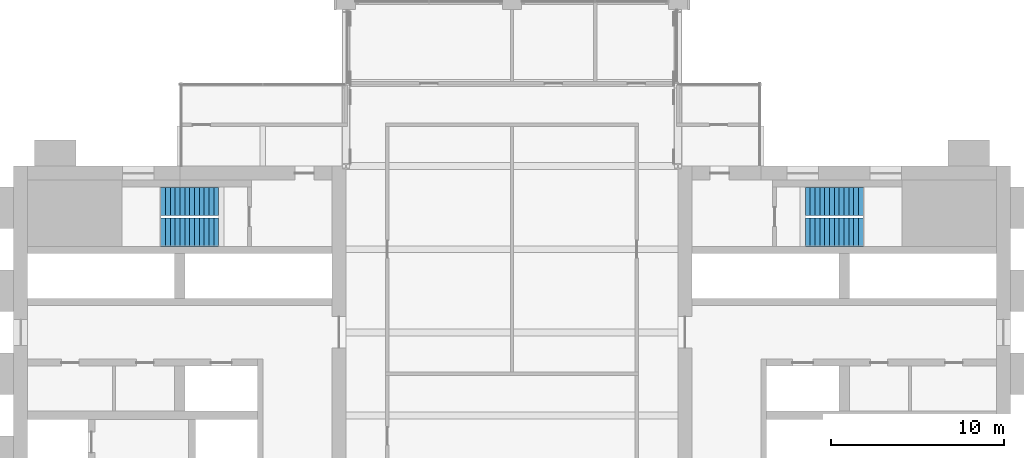
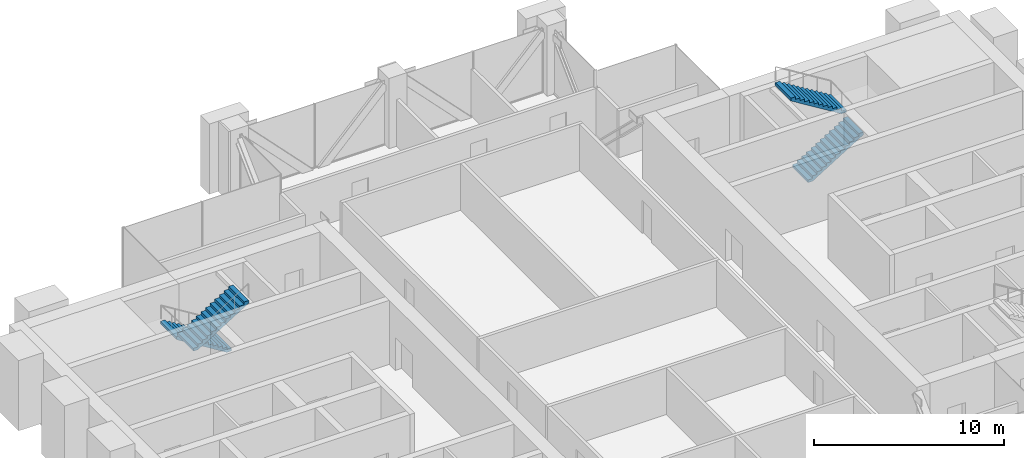
# One storey, part 12 of 13: 4 stair flights, 2 elements without a shape of their own.
"""IFC4 building model written with IfcOpenShell, lengths in metres."""

from ifc_helpers import new_model, si_unit, direction, frame, origin, place, context, subcontext, project, spatial, polyline, outline, extrude, material, type_object, element, aggregate, save


model = new_model("IFC4")

# Units and contexts
model_context = context("Model", 3, precision=1e-05, world=origin(), true_north=direction((0.0, 1.0)))
body_context = subcontext(model_context, "Body", "Model", "MODEL_VIEW")
ifc_project = project(units=[si_unit("LENGTHUNIT", "METRE"), si_unit("AREAUNIT", "SQUARE_METRE"), si_unit("VOLUMEUNIT", "CUBIC_METRE"), si_unit("PLANEANGLEUNIT", "RADIAN"), si_unit("MASSUNIT", "GRAM", prefix="KILO")], contexts=[model_context])

# Site, building, storey
site_placement = place(None, origin())
site = spatial("IfcSite", under=ifc_project, at=site_placement, CompositionType="ELEMENT")
building_placement = place(site_placement, origin())
building = spatial("IfcBuilding", under=site, at=building_placement, Name="Baori Bourse Tower", CompositionType="ELEMENT")
storey_placement = place(building_placement, frame((0.0, 0.0, 265.199951171875)))
storey = spatial("IfcBuildingStorey", under=building, at=storey_placement, Name="L59", CompositionType="ELEMENT", Elevation=265.199951171875)

# Stair, stair flights
ifc_material_1 = material(Name="Concrete f'c 50 MPa", Category="concrete")
stair_type = type_object("IfcStairType", Name="Core stair", PredefinedType="HALF_TURN_STAIR", material=ifc_material_1)
stair_1_placement = place(storey_placement, origin())
stair_1 = element("IfcStair", 1, at=stair_1_placement, inside=storey, type_object=stair_type, Name="L59 Stair WB", PredefinedType="HALF_TURN_STAIR")
ifc_material_2 = material(Name="Concrete f'c 50 MPa", Category="concrete")
stair_flight_type = type_object("IfcStairFlightType", Name="Core stair flight", PredefinedType="STRAIGHT", material=ifc_material_2)
stair_flight_1_placement = place(storey_placement, frame((11.85009765625, 36.375, 0.0), z_axis=(0.0, 0.0, 1.0), x_axis=(-1.0, 0.0, 0.0)))
stair_flight_1 = element("IfcStairFlight", 2, at=stair_flight_1_placement, type_object=stair_flight_type, Name="ST2 flight 1", NumberOfRisers=13, NumberOfTreads=12, PredefinedType="STRAIGHT", RiserHeight=0.173076923, TreadLength=0.28, context=body_context, shape_type="SweptSolid", body=[
    extrude(outline(polyline([(0.0, 0.0), (0.0, 0.173095703125), (0.280029296875, 0.173095703125), (0.280029296875, 0.34619140625), (0.56005859375, 0.34619140625), (0.56005859375, 0.519287109375), (0.840087890625, 0.519287109375), (0.840087890625, 0.6923828125), (1.1201171875, 0.6923828125), (1.1201171875, 0.865478515625), (1.39990234375, 0.865478515625), (1.39990234375, 1.03857421875), (1.679931640625, 1.03857421875), (1.679931640625, 1.21142578125), (1.9599609375, 1.21142578125), (1.9599609375, 1.384521484375), (2.239990234375, 1.384521484375), (2.239990234375, 1.5576171875), (2.52001953125, 1.5576171875), (2.52001953125, 1.730712890625), (2.800048828125, 1.730712890625), (2.800048828125, 1.90380859375), (3.080078125, 1.90380859375), (3.080078125, 2.076904296875), (3.360107421875, 2.076904296875), (3.360107421875, 2.25), (3.360107421875, 1.900634765625), (0.28515625, 0.0), (0.0, 0.0)])), frame((0.0, 0.824951171875, 0.0), z_axis=(0.0, -1.0, 0.0), x_axis=(1.0, 0.0, 0.0)), (0.0, 0.0, 1.0), 1.64990234375),
])
stair_flight_2_placement = place(storey_placement, frame((8.489990234375, 34.574951171875, 2.25), z_axis=(0.0, 0.0, 1.0), x_axis=(1.0, 0.0, 0.0)))
stair_flight_2 = element("IfcStairFlight", 3, at=stair_flight_2_placement, type_object=stair_flight_type, Name="ST2 flight 2", NumberOfRisers=13, NumberOfTreads=12, PredefinedType="STRAIGHT", RiserHeight=0.173076923, TreadLength=0.28, context=body_context, shape_type="SweptSolid", body=[
    extrude(outline(polyline([(0.0, 0.0), (0.0, 0.173095703125), (0.280029296875, 0.173095703125), (0.280029296875, 0.34619140625), (0.56005859375, 0.34619140625), (0.56005859375, 0.519287109375), (0.840087890625, 0.519287109375), (0.840087890625, 0.6923828125), (1.1201171875, 0.6923828125), (1.1201171875, 0.865478515625), (1.39990234375, 0.865478515625), (1.39990234375, 1.03857421875), (1.679931640625, 1.03857421875), (1.679931640625, 1.21142578125), (1.9599609375, 1.21142578125), (1.9599609375, 1.384521484375), (2.239990234375, 1.384521484375), (2.239990234375, 1.5576171875), (2.52001953125, 1.5576171875), (2.52001953125, 1.730712890625), (2.800048828125, 1.730712890625), (2.800048828125, 1.90380859375), (3.080078125, 1.90380859375), (3.080078125, 2.076904296875), (3.360107421875, 2.076904296875), (3.360107421875, 2.25), (3.360107421875, 1.900634765625), (0.28515625, 0.0), (0.0, 0.0)])), frame((0.0, 0.824951171875, 0.0), z_axis=(0.0, -1.0, 0.0), x_axis=(1.0, 0.0, 0.0)), (0.0, 0.0, 1.0), 1.64990234375),
])
aggregate(stair_1, [stair_flight_1, stair_flight_2])

stair_2_placement = place(storey_placement, origin())
stair_2 = element("IfcStair", 4, at=stair_2_placement, inside=storey, type_object=stair_type, Name="L59 Stair EB", PredefinedType="HALF_TURN_STAIR")
stair_flight_3_placement = place(storey_placement, frame((45.75, 34.574951171875, 0.0), z_axis=(0.0, 0.0, 1.0), x_axis=(1.0, 0.0, 0.0)))
stair_flight_3 = element("IfcStairFlight", 5, at=stair_flight_3_placement, type_object=stair_flight_type, Name="ST4 flight 1", NumberOfRisers=13, NumberOfTreads=12, PredefinedType="STRAIGHT", RiserHeight=0.173076923, TreadLength=0.28, context=body_context, shape_type="SweptSolid", body=[
    extrude(outline(polyline([(0.0, 0.0), (0.0, 0.173095703125), (0.280029296875, 0.173095703125), (0.280029296875, 0.34619140625), (0.56005859375, 0.34619140625), (0.56005859375, 0.519287109375), (0.840087890625, 0.519287109375), (0.840087890625, 0.6923828125), (1.1201171875, 0.6923828125), (1.1201171875, 0.865478515625), (1.39990234375, 0.865478515625), (1.39990234375, 1.03857421875), (1.679931640625, 1.03857421875), (1.679931640625, 1.21142578125), (1.9599609375, 1.21142578125), (1.9599609375, 1.384521484375), (2.239990234375, 1.384521484375), (2.239990234375, 1.5576171875), (2.52001953125, 1.5576171875), (2.52001953125, 1.730712890625), (2.800048828125, 1.730712890625), (2.800048828125, 1.90380859375), (3.080078125, 1.90380859375), (3.080078125, 2.076904296875), (3.360107421875, 2.076904296875), (3.360107421875, 2.25), (3.360107421875, 1.900634765625), (0.28515625, 0.0), (0.0, 0.0)])), frame((0.0, 0.824951171875, 0.0), z_axis=(0.0, -1.0, 0.0), x_axis=(1.0, 0.0, 0.0)), (0.0, 0.0, 1.0), 1.64990234375),
])
stair_flight_4_placement = place(storey_placement, frame((49.110107421875, 36.375, 2.25), z_axis=(0.0, 0.0, 1.0), x_axis=(-1.0, 0.0, 0.0)))
stair_flight_4 = element("IfcStairFlight", 6, at=stair_flight_4_placement, type_object=stair_flight_type, Name="ST4 flight 2", NumberOfRisers=13, NumberOfTreads=12, PredefinedType="STRAIGHT", RiserHeight=0.173076923, TreadLength=0.28, context=body_context, shape_type="SweptSolid", body=[
    extrude(outline(polyline([(0.0, 0.0), (0.0, 0.173095703125), (0.280029296875, 0.173095703125), (0.280029296875, 0.34619140625), (0.56005859375, 0.34619140625), (0.56005859375, 0.519287109375), (0.840087890625, 0.519287109375), (0.840087890625, 0.6923828125), (1.1201171875, 0.6923828125), (1.1201171875, 0.865478515625), (1.39990234375, 0.865478515625), (1.39990234375, 1.03857421875), (1.679931640625, 1.03857421875), (1.679931640625, 1.21142578125), (1.9599609375, 1.21142578125), (1.9599609375, 1.384521484375), (2.239990234375, 1.384521484375), (2.239990234375, 1.5576171875), (2.52001953125, 1.5576171875), (2.52001953125, 1.730712890625), (2.800048828125, 1.730712890625), (2.800048828125, 1.90380859375), (3.080078125, 1.90380859375), (3.080078125, 2.076904296875), (3.360107421875, 2.076904296875), (3.360107421875, 2.25), (3.360107421875, 1.900634765625), (0.28515625, 0.0), (0.0, 0.0)])), frame((0.0, 0.824951171875, 0.0), z_axis=(0.0, -1.0, 0.0), x_axis=(1.0, 0.0, 0.0)), (0.0, 0.0, 1.0), 1.64990234375),
])
aggregate(stair_2, [stair_flight_3, stair_flight_4])

save(model, "model.ifc")
